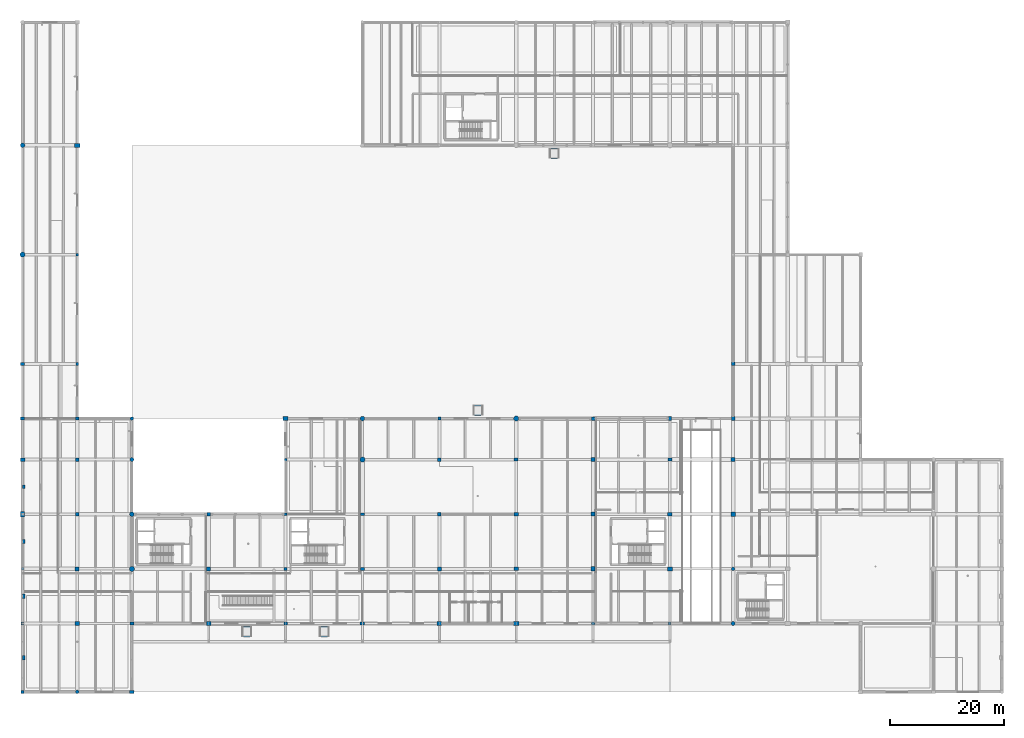
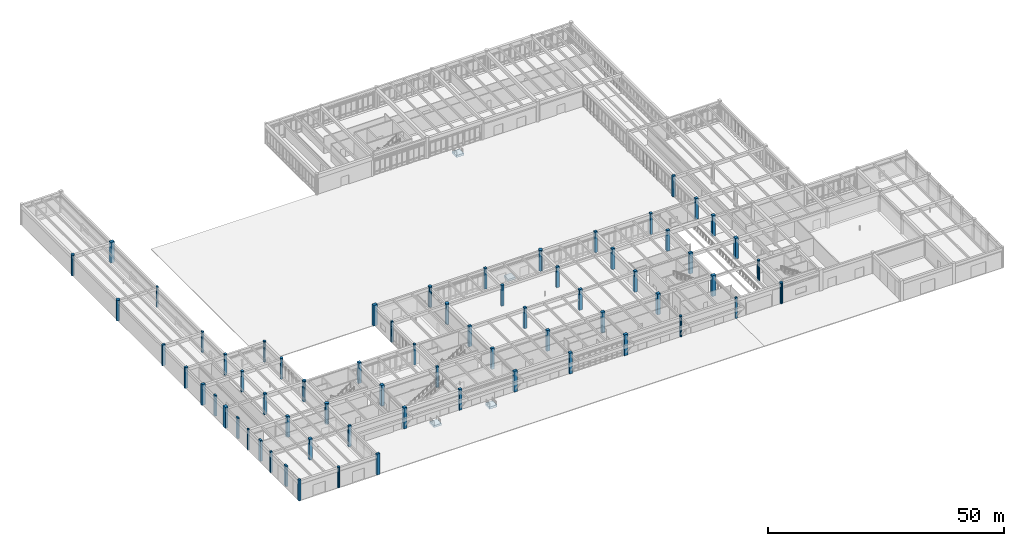
# One storey, part 1 of 138: 67 columns, 4 footings.
"""IFC4 building model written with IfcOpenShell, lengths in metres."""

from ifc_helpers import new_model, si_unit, direction, frame, origin, origin_2d, place, context, subcontext, project, spatial, rectangle, circle, extrude, material, material_profile, profile_set, type_object, element, save


model = new_model("IFC4")

# Units and contexts
model_context = context("Model", 3, precision=1e-05, world=origin(), true_north=direction((0.0, 1.0)))
body_context = subcontext(model_context, "Body", "Model", "MODEL_VIEW")
ifc_project = project(units=[si_unit("LENGTHUNIT", "METRE"), si_unit("AREAUNIT", "SQUARE_METRE"), si_unit("VOLUMEUNIT", "CUBIC_METRE"), si_unit("PLANEANGLEUNIT", "RADIAN"), si_unit("MASSUNIT", "GRAM", prefix="KILO")], contexts=[model_context])

# Site, building, storey
site_placement = place(None, origin())
site = spatial("IfcSite", under=ifc_project, at=site_placement, CompositionType="ELEMENT")
building_placement = place(site_placement, origin())
building = spatial("IfcBuilding", under=site, at=building_placement, Name="Fikremerkos Civic Library", CompositionType="ELEMENT")
storey_placement = place(building_placement, origin())
storey = spatial("IfcBuildingStorey", under=building, at=storey_placement, Name="L00", CompositionType="ELEMENT", Elevation=0.0)

# Footings
ifc_material_1 = material(Name="Concrete C35/45", Category="concrete")
footing_type = type_object("IfcFootingType", Name="Wall strip footing WSF-03 900x550", PredefinedType="STRIP_FOOTING", material=ifc_material_1)
for number, where, z_axis, x_axis, name in (
    (1, (39.39990234375, 10.550048828125, -0.64990234375), (0.0, 0.0, 1.0), (1.0, 0.0, 0.0), "Exterior plaza ramp strip footing #1"),
    (2, (53.0, 10.550048828125, -0.64990234375), (0.0, 0.0, 1.0), (1.0, 0.0, 0.0), "Exterior plaza ramp strip footing #2"),
    (3, (80.0, 49.449951171875, -0.64990234375), (0.0, 0.0, 1.0), (1.0, 0.0, 0.0), "Exterior plaza ramp strip footing #3"),
    (4, (93.39990234375, 94.550048828125, -0.64990234375), (0.0, 0.0, 1.0), (1.0, 0.0, 0.0), "Exterior plaza ramp strip footing #4"),
):
    element("IfcFooting", number, at=place(storey_placement, frame(where, z_axis=z_axis, x_axis=x_axis)), inside=storey, type_object=footing_type, Name=name, PredefinedType="STRIP_FOOTING", context=body_context, shape_type="SweptSolid", body=[
        extrude(rectangle(XDim=1.800048828125, YDim=1.800048828125, at=origin_2d()), origin(), (0.0, 0.0, 1.0), 0.550048828125),
    ])

# Columns
ifc_material_2 = material(Name="Concrete C40/50", Category="concrete")
ifc_material_profile_1 = material_profile(ifc_material_2, rectangle(XDim=0.75, YDim=0.75, at=origin_2d()), Name="RC 750x750")
ifc_profile_set_1 = profile_set([ifc_material_profile_1], Name="Concrete C40/50")
column_type_1 = type_object("IfcColumnType", Name="Structural column COL-06 RC 750x750", PredefinedType="COLUMN", material=ifc_profile_set_1)
for number, where, z_axis, x_axis, name in (
    (5, (9.60009765625, 12.0, 0.0), (0.0, 0.0, 1.0), (1.0, 0.0, 0.0), "Column COL-06 L00 2/E"),
    (6, (32.699951171875, 12.0, 0.0), (0.0, 0.0, 1.0), (1.0, 0.0, 0.0), "Column COL-06 L00 4/E"),
    (7, (73.199951171875, 12.0, 0.0), (0.0, 0.0, 1.0), (1.0, 0.0, 0.0), "Column COL-06 L00 7/E"),
    (8, (100.199951171875, 21.60009765625, 0.0), (0.0, 0.0, 1.0), (1.0, 0.0, 0.0), "Column COL-06 L00 9/F"),
    (9, (124.800048828125, 31.199951171875, 0.0), (0.0, 0.0, 1.0), (1.0, 0.0, 0.0), "Column COL-06 L00 11/G"),
):
    element("IfcColumn", number, at=place(storey_placement, frame(where, z_axis=z_axis, x_axis=x_axis)), inside=storey, type_object=column_type_1, Name=name, PredefinedType="COLUMN", context=body_context, shape_type="SweptSolid", body=[
        extrude(rectangle(XDim=0.75, YDim=0.75, at=origin_2d()), origin(), (0.0, 0.0, 1.0), 5.39990234375),
    ])
ifc_material_profile_2 = material_profile(ifc_material_2, rectangle(XDim=0.699951171875, YDim=0.699951171875, at=origin_2d()), Name="RC 700x700")
ifc_profile_set_2 = profile_set([ifc_material_profile_2], Name="Concrete C40/50")
column_type_2 = type_object("IfcColumnType", Name="Structural column COL-07 RC 700x700", PredefinedType="COLUMN", material=ifc_profile_set_2)
for number, where, z_axis, x_axis, name in (
    (10, (9.60009765625, 21.60009765625, 0.0), (0.0, 0.0, 1.0), (1.0, 0.0, 0.0), "Column COL-07 L00 2/F"),
    (11, (32.699951171875, 21.60009765625, 0.0), (0.0, 0.0, 1.0), (1.0, 0.0, 0.0), "Column COL-07 L00 4/F"),
    (12, (73.199951171875, 21.60009765625, 0.0), (0.0, 0.0, 1.0), (1.0, 0.0, 0.0), "Column COL-07 L00 7/F"),
    (13, (100.199951171875, 31.199951171875, 0.0), (0.0, 0.0, 1.0), (1.0, 0.0, 0.0), "Column COL-07 L00 9/G"),
    (14, (124.800048828125, 40.800048828125, 0.0), (0.0, 0.0, 1.0), (1.0, 0.0, 0.0), "Column COL-07 L00 11/H"),
):
    element("IfcColumn", number, at=place(storey_placement, frame(where, z_axis=z_axis, x_axis=x_axis)), inside=storey, type_object=column_type_2, Name=name, PredefinedType="COLUMN", context=body_context, shape_type="SweptSolid", body=[
        extrude(rectangle(XDim=0.699951171875, YDim=0.699951171875, at=origin_2d()), origin(), (0.0, 0.0, 1.0), 5.39990234375),
    ])
ifc_material_profile_3 = material_profile(ifc_material_2, rectangle(XDim=0.64990234375, YDim=0.64990234375, at=origin_2d()), Name="RC 650x650")
ifc_profile_set_3 = profile_set([ifc_material_profile_3], Name="Concrete C40/50")
column_type_3 = type_object("IfcColumnType", Name="Structural column COL-08 RC 650x650", PredefinedType="COLUMN", material=ifc_profile_set_3)
for number, where, z_axis, x_axis, name in (
    (15, (9.60009765625, 31.199951171875, 0.0), (0.0, 0.0, 1.0), (1.0, 0.0, 0.0), "Column COL-08 L00 2/G"),
    (16, (32.699951171875, 31.199951171875, 0.0), (0.0, 0.0, 1.0), (1.0, 0.0, 0.0), "Column COL-08 L00 4/G"),
    (17, (73.199951171875, 31.199951171875, 0.0), (0.0, 0.0, 1.0), (1.0, 0.0, 0.0), "Column COL-08 L00 7/G"),
    (18, (100.199951171875, 40.800048828125, 0.0), (0.0, 0.0, 1.0), (1.0, 0.0, 0.0), "Column COL-08 L00 9/H"),
    (19, (124.800048828125, 48.0, 0.0), (0.0, 0.0, 1.0), (1.0, 0.0, 0.0), "Column COL-08 L00 11/J"),
):
    element("IfcColumn", number, at=place(storey_placement, frame(where, z_axis=z_axis, x_axis=x_axis)), inside=storey, type_object=column_type_3, Name=name, PredefinedType="COLUMN", context=body_context, shape_type="SweptSolid", body=[
        extrude(rectangle(XDim=0.64990234375, YDim=0.64990234375, at=origin_2d()), origin(), (0.0, 0.0, 1.0), 5.39990234375),
    ])
ifc_material_profile_4 = material_profile(ifc_material_2, rectangle(XDim=0.60009765625, YDim=0.60009765625, at=origin_2d()), Name="RC 600x600")
ifc_profile_set_4 = profile_set([ifc_material_profile_4], Name="Concrete C40/50")
column_type_4 = type_object("IfcColumnType", Name="Structural column COL-09 RC 600x600", PredefinedType="COLUMN", material=ifc_profile_set_4)
for number, where, z_axis, x_axis, name in (
    (20, (9.60009765625, 40.800048828125, 0.0), (0.0, 0.0, 1.0), (1.0, 0.0, 0.0), "Column COL-09 L00 2/H"),
    (21, (46.199951171875, 12.0, 0.0), (0.0, 0.0, 1.0), (1.0, 0.0, 0.0), "Column COL-09 L00 5/E"),
    (22, (73.199951171875, 40.800048828125, 0.0), (0.0, 0.0, 1.0), (1.0, 0.0, 0.0), "Column COL-09 L00 7/H"),
    (23, (100.199951171875, 48.0, 0.0), (0.0, 0.0, 1.0), (1.0, 0.0, 0.0), "Column COL-09 L00 9/J"),
    (24, (124.800048828125, 57.60009765625, 0.0), (0.0, 0.0, 1.0), (1.0, 0.0, 0.0), "Column COL-09 L00 11/K"),
):
    element("IfcColumn", number, at=place(storey_placement, frame(where, z_axis=z_axis, x_axis=x_axis)), inside=storey, type_object=column_type_4, Name=name, PredefinedType="COLUMN", context=body_context, shape_type="SweptSolid", body=[
        extrude(rectangle(XDim=0.60009765625, YDim=0.60009765625, at=origin_2d()), origin(), (0.0, 0.0, 1.0), 5.39990234375),
    ])
ifc_material_profile_5 = material_profile(ifc_material_2, rectangle(XDim=0.550048828125, YDim=0.550048828125, at=origin_2d()), Name="RC 550x550")
ifc_profile_set_5 = profile_set([ifc_material_profile_5], Name="Concrete C40/50")
column_type_5 = type_object("IfcColumnType", Name="Structural column COL-10 RC 550x550", PredefinedType="COLUMN", material=ifc_profile_set_5)
for number, where, z_axis, x_axis, name in (
    (25, (0.0, 0.0, 0.0), (0.0, 0.0, 1.0), (1.0, 0.0, 0.0), "Column COL-10 L00 1/A"),
    (26, (9.60009765625, 48.0, 0.0), (0.0, 0.0, 1.0), (1.0, 0.0, 0.0), "Column COL-10 L00 2/J"),
    (27, (46.199951171875, 21.60009765625, 0.0), (0.0, 0.0, 1.0), (1.0, 0.0, 0.0), "Column COL-10 L00 5/F"),
    (28, (73.199951171875, 48.0, 0.0), (0.0, 0.0, 1.0), (1.0, 0.0, 0.0), "Column COL-10 L00 7/J"),
):
    element("IfcColumn", number, at=place(storey_placement, frame(where, z_axis=z_axis, x_axis=x_axis)), inside=storey, type_object=column_type_5, Name=name, PredefinedType="COLUMN", context=body_context, shape_type="SweptSolid", body=[
        extrude(rectangle(XDim=0.550048828125, YDim=0.550048828125, at=origin_2d()), origin(), (0.0, 0.0, 1.0), 5.39990234375),
    ])
ifc_material_profile_6 = material_profile(ifc_material_2, rectangle(XDim=0.5, YDim=0.5, at=origin_2d()), Name="RC 500x500")
ifc_profile_set_6 = profile_set([ifc_material_profile_6], Name="Concrete C40/50")
column_type_6 = type_object("IfcColumnType", Name="Structural column COL-11 RC 500x500", PredefinedType="COLUMN", material=ifc_profile_set_6)
for number, where, z_axis, x_axis, name in (
    (29, (0.0, 12.0, 0.0), (0.0, 0.0, 1.0), (1.0, 0.0, 0.0), "Column COL-11 L00 1/E"),
    (30, (9.60009765625, 57.60009765625, 0.0), (0.0, 0.0, 1.0), (1.0, 0.0, 0.0), "Column COL-11 L00 2/K"),
    (31, (46.199951171875, 31.199951171875, 0.0), (0.0, 0.0, 1.0), (1.0, 0.0, 0.0), "Column COL-11 L00 5/G"),
):
    element("IfcColumn", number, at=place(storey_placement, frame(where, z_axis=z_axis, x_axis=x_axis)), inside=storey, type_object=column_type_6, Name=name, PredefinedType="COLUMN", context=body_context, shape_type="SweptSolid", body=[
        extrude(rectangle(XDim=0.5, YDim=0.5, at=origin_2d()), origin(), (0.0, 0.0, 1.0), 5.39990234375),
    ])
ifc_material_profile_7 = material_profile(ifc_material_2, rectangle(XDim=0.449951171875, YDim=0.449951171875, at=origin_2d()), Name="RC 450x450")
ifc_profile_set_7 = profile_set([ifc_material_profile_7], Name="Concrete C40/50")
column_type_7 = type_object("IfcColumnType", Name="Structural column COL-12 RC 450x450", PredefinedType="COLUMN", material=ifc_profile_set_7)
for number, where, z_axis, x_axis, name in (
    (32, (0.0, 21.60009765625, 0.0), (0.0, 0.0, 1.0), (1.0, 0.0, 0.0), "Column COL-12 L00 1/F"),
    (33, (9.60009765625, 76.800048828125, 0.0), (0.0, 0.0, 1.0), (1.0, 0.0, 0.0), "Column COL-12 L00 2/L"),
    (34, (46.199951171875, 40.800048828125, 0.0), (0.0, 0.0, 1.0), (1.0, 0.0, 0.0), "Column COL-12 L00 5/H"),
    (35, (113.699951171875, 12.0, 0.0), (0.0, 0.0, 1.0), (1.0, 0.0, 0.0), "Column COL-12 L00 10/E"),
):
    element("IfcColumn", number, at=place(storey_placement, frame(where, z_axis=z_axis, x_axis=x_axis)), inside=storey, type_object=column_type_7, Name=name, PredefinedType="COLUMN", context=body_context, shape_type="SweptSolid", body=[
        extrude(rectangle(XDim=0.449951171875, YDim=0.449951171875, at=origin_2d()), origin(), (0.0, 0.0, 1.0), 5.39990234375),
    ])
ifc_material_profile_8 = material_profile(ifc_material_2, rectangle(XDim=0.89990234375, YDim=0.699951171875, at=origin_2d()), Name="RC 900x700")
ifc_profile_set_8 = profile_set([ifc_material_profile_8], Name="Concrete C40/50")
column_type_8 = type_object("IfcColumnType", Name="Structural column COL-13 RC 900x700", PredefinedType="COLUMN", material=ifc_profile_set_8)
for number, where, z_axis, x_axis, name in (
    (36, (0.0, 31.199951171875, 0.0), (0.0, 0.0, 1.0), (0.0, 1.0, 0.0), "Column COL-13 L00 1/G"),
    (37, (9.60009765625, 96.0, 0.0), (0.0, 0.0, 1.0), (1.0, 0.0, 0.0), "Column COL-13 L00 2/M"),
    (38, (46.199951171875, 48.0, 0.0), (0.0, 0.0, 1.0), (1.0, 0.0, 0.0), "Column COL-13 L00 5/J"),
    (39, (86.699951171875, 12.0, 0.0), (0.0, 0.0, 1.0), (1.0, 0.0, 0.0), "Column COL-13 L00 8/E"),
    (40, (113.699951171875, 21.60009765625, 0.0), (0.0, 0.0, 1.0), (1.0, 0.0, 0.0), "Column COL-13 L00 10/F"),
):
    element("IfcColumn", number, at=place(storey_placement, frame(where, z_axis=z_axis, x_axis=x_axis)), inside=storey, type_object=column_type_8, Name=name, PredefinedType="COLUMN", context=body_context, shape_type="SweptSolid", body=[
        extrude(rectangle(XDim=0.89990234375, YDim=0.699951171875, at=origin_2d()), origin(), (0.0, 0.0, 1.0), 5.39990234375),
    ])
ifc_material_profile_9 = material_profile(ifc_material_2, rectangle(XDim=0.800048828125, YDim=0.60009765625, at=origin_2d()), Name="RC 800x600")
ifc_profile_set_9 = profile_set([ifc_material_profile_9], Name="Concrete C40/50")
column_type_9 = type_object("IfcColumnType", Name="Structural column COL-14 RC 800x600", PredefinedType="COLUMN", material=ifc_profile_set_9)
for number, where, z_axis, x_axis, name in (
    (41, (0.0, 40.800048828125, 0.0), (0.0, 0.0, 1.0), (1.0, 0.0, 0.0), "Column COL-14 L00 1/H"),
    (42, (59.699951171875, 12.0, 0.0), (0.0, 0.0, 1.0), (1.0, 0.0, 0.0), "Column COL-14 L00 6/E"),
    (43, (86.699951171875, 21.60009765625, 0.0), (0.0, 0.0, 1.0), (1.0, 0.0, 0.0), "Column COL-14 L00 8/F"),
    (44, (113.699951171875, 31.199951171875, 0.0), (0.0, 0.0, 1.0), (1.0, 0.0, 0.0), "Column COL-14 L00 10/G"),
):
    element("IfcColumn", number, at=place(storey_placement, frame(where, z_axis=z_axis, x_axis=x_axis)), inside=storey, type_object=column_type_9, Name=name, PredefinedType="COLUMN", context=body_context, shape_type="SweptSolid", body=[
        extrude(rectangle(XDim=0.800048828125, YDim=0.60009765625, at=origin_2d()), origin(), (0.0, 0.0, 1.0), 5.39990234375),
    ])
ifc_material_profile_10 = material_profile(ifc_material_2, rectangle(XDim=0.75, YDim=0.550048828125, at=origin_2d()), Name="RC 750x550")
ifc_profile_set_10 = profile_set([ifc_material_profile_10], Name="Concrete C40/50")
column_type_10 = type_object("IfcColumnType", Name="Structural column COL-15 RC 750x550", PredefinedType="COLUMN", material=ifc_profile_set_10)
for number, where, z_axis, x_axis, name in (
    (45, (0.0, 48.0, 0.0), (0.0, 0.0, 1.0), (1.0, 0.0, 0.0), "Column COL-15 L00 1/J"),
    (46, (19.199951171875, 0.0, 0.0), (0.0, 0.0, 1.0), (1.0, 0.0, 0.0), "Column COL-15 L00 3/A"),
    (47, (59.699951171875, 21.60009765625, 0.0), (0.0, 0.0, 1.0), (1.0, 0.0, 0.0), "Column COL-15 L00 6/F"),
    (48, (86.699951171875, 31.199951171875, 0.0), (0.0, 0.0, 1.0), (1.0, 0.0, 0.0), "Column COL-15 L00 8/G"),
    (49, (113.699951171875, 40.800048828125, 0.0), (0.0, 0.0, 1.0), (1.0, 0.0, 0.0), "Column COL-15 L00 10/H"),
):
    element("IfcColumn", number, at=place(storey_placement, frame(where, z_axis=z_axis, x_axis=x_axis)), inside=storey, type_object=column_type_10, Name=name, PredefinedType="COLUMN", context=body_context, shape_type="SweptSolid", body=[
        extrude(rectangle(XDim=0.75, YDim=0.550048828125, at=origin_2d()), origin(), (0.0, 0.0, 1.0), 5.39990234375),
    ])
ifc_material_profile_11 = material_profile(ifc_material_2, rectangle(XDim=0.699951171875, YDim=0.5, at=origin_2d()), Name="RC 700x500")
ifc_profile_set_11 = profile_set([ifc_material_profile_11], Name="Concrete C40/50")
column_type_11 = type_object("IfcColumnType", Name="Structural column COL-16 RC 700x500", PredefinedType="COLUMN", material=ifc_profile_set_11)
for number, where, z_axis, x_axis, name in (
    (50, (0.0, 57.60009765625, 0.0), (0.0, 0.0, 1.0), (1.0, 0.0, 0.0), "Column COL-16 L00 1/K"),
    (51, (19.199951171875, 12.0, 0.0), (0.0, 0.0, 1.0), (1.0, 0.0, 0.0), "Column COL-16 L00 3/E"),
    (52, (59.699951171875, 31.199951171875, 0.0), (0.0, 0.0, 1.0), (1.0, 0.0, 0.0), "Column COL-16 L00 6/G"),
    (53, (86.699951171875, 40.800048828125, 0.0), (0.0, 0.0, 1.0), (1.0, 0.0, 0.0), "Column COL-16 L00 8/H"),
    (54, (113.699951171875, 48.0, 0.0), (0.0, 0.0, 1.0), (0.0, 1.0, 0.0), "Column COL-16 L00 10/J"),
):
    element("IfcColumn", number, at=place(storey_placement, frame(where, z_axis=z_axis, x_axis=x_axis)), inside=storey, type_object=column_type_11, Name=name, PredefinedType="COLUMN", context=body_context, shape_type="SweptSolid", body=[
        extrude(rectangle(XDim=0.699951171875, YDim=0.5, at=origin_2d()), origin(), (0.0, 0.0, 1.0), 5.39990234375),
    ])
ifc_material_3 = material(Name="Concrete C45/55", Category="concrete")
ifc_material_profile_12 = material_profile(ifc_material_3, circle(Radius=0.449951171875, at=origin_2d()), Name="RC D900")
ifc_profile_set_12 = profile_set([ifc_material_profile_12], Name="Concrete C45/55")
column_type_12 = type_object("IfcColumnType", Name="Structural column COL-17 RC D900", PredefinedType="COLUMN", material=ifc_profile_set_12)
for number, where, z_axis, x_axis, name in (
    (55, (0.0, 76.800048828125, 0.0), (0.0, 0.0, 1.0), (1.0, 0.0, 0.0), "Column COL-17 L00 1/L"),
    (56, (19.199951171875, 21.60009765625, 0.0), (0.0, 0.0, 1.0), (1.0, 0.0, 0.0), "Column COL-17 L00 3/F"),
    (57, (59.699951171875, 40.800048828125, 0.0), (0.0, 0.0, 1.0), (1.0, 0.0, 0.0), "Column COL-17 L00 6/H"),
    (58, (86.699951171875, 48.0, 0.0), (0.0, 0.0, 1.0), (1.0, 0.0, 0.0), "Column COL-17 L00 8/J"),
):
    element("IfcColumn", number, at=place(storey_placement, frame(where, z_axis=z_axis, x_axis=x_axis)), inside=storey, type_object=column_type_12, Name=name, PredefinedType="COLUMN", context=body_context, shape_type="SweptSolid", body=[
        extrude(circle(Radius=0.449951171875, at=origin_2d()), origin(), (0.0, 0.0, 1.0), 5.39990234375),
    ])
ifc_material_profile_13 = material_profile(ifc_material_2, circle(Radius=0.39990234375, at=origin_2d()), Name="RC D800")
ifc_profile_set_13 = profile_set([ifc_material_profile_13], Name="Concrete C40/50")
column_type_13 = type_object("IfcColumnType", Name="Structural column COL-18 RC D800", PredefinedType="COLUMN", material=ifc_profile_set_13)
for number, where, z_axis, x_axis, name in (
    (59, (0.0, 96.0, 0.0), (0.0, 0.0, 1.0), (1.0, 0.0, 0.0), "Column COL-18 L00 1/M"),
    (60, (19.199951171875, 31.199951171875, 0.0), (0.0, 0.0, 1.0), (1.0, 0.0, 0.0), "Column COL-18 L00 3/G"),
    (61, (59.699951171875, 48.0, 0.0), (0.0, 0.0, 1.0), (1.0, 0.0, 0.0), "Column COL-18 L00 6/J"),
):
    element("IfcColumn", number, at=place(storey_placement, frame(where, z_axis=z_axis, x_axis=x_axis)), inside=storey, type_object=column_type_13, Name=name, PredefinedType="COLUMN", context=body_context, shape_type="SweptSolid", body=[
        extrude(circle(Radius=0.39990234375, at=origin_2d()), origin(), (0.0, 0.0, 1.0), 5.39990234375),
    ])
ifc_material_profile_14 = material_profile(ifc_material_2, circle(Radius=0.35009765625, at=origin_2d()), Name="RC D700")
ifc_profile_set_14 = profile_set([ifc_material_profile_14], Name="Concrete C40/50")
column_type_14 = type_object("IfcColumnType", Name="Structural column COL-19 RC D700", PredefinedType="COLUMN", material=ifc_profile_set_14)
for number, where, z_axis, x_axis, name in (
    (62, (19.199951171875, 40.800048828125, 0.0), (0.0, 0.0, 1.0), (1.0, 0.0, 0.0), "Column COL-19 L00 3/H"),
    (63, (124.800048828125, 12.0, 0.0), (0.0, 0.0, 1.0), (1.0, 0.0, 0.0), "Column COL-19 L00 11/E"),
):
    element("IfcColumn", number, at=place(storey_placement, frame(where, z_axis=z_axis, x_axis=x_axis)), inside=storey, type_object=column_type_14, Name=name, PredefinedType="COLUMN", context=body_context, shape_type="SweptSolid", body=[
        extrude(circle(Radius=0.35009765625, at=origin_2d()), origin(), (0.0, 0.0, 1.0), 5.39990234375),
    ])
ifc_material_profile_15 = material_profile(ifc_material_2, circle(Radius=0.300048828125, at=origin_2d()), Name="RC D600")
ifc_profile_set_15 = profile_set([ifc_material_profile_15], Name="Concrete C40/50")
column_type_15 = type_object("IfcColumnType", Name="Structural column COL-20 RC D600", PredefinedType="COLUMN", material=ifc_profile_set_15)
for number, where, z_axis, x_axis, name in (
    (64, (9.60009765625, 0.0, 0.0), (0.0, 0.0, 1.0), (1.0, 0.0, 0.0), "Column COL-20 L00 2/A"),
    (65, (19.199951171875, 48.0, 0.0), (0.0, 0.0, 1.0), (1.0, 0.0, 0.0), "Column COL-20 L00 3/J"),
    (66, (100.199951171875, 12.0, 0.0), (0.0, 0.0, 1.0), (1.0, 0.0, 0.0), "Column COL-20 L00 9/E"),
    (67, (124.800048828125, 21.60009765625, 0.0), (0.0, 0.0, 1.0), (1.0, 0.0, 0.0), "Column COL-20 L00 11/F"),
):
    element("IfcColumn", number, at=place(storey_placement, frame(where, z_axis=z_axis, x_axis=x_axis)), inside=storey, type_object=column_type_15, Name=name, PredefinedType="COLUMN", context=body_context, shape_type="SweptSolid", body=[
        extrude(circle(Radius=0.300048828125, at=origin_2d()), origin(), (0.0, 0.0, 1.0), 5.39990234375),
    ])
ifc_material_profile_16 = material_profile(ifc_material_2, rectangle(XDim=0.449951171875, YDim=0.800048828125, at=origin_2d()), Name="RC 450x800")
ifc_profile_set_16 = profile_set([ifc_material_profile_16], Name="Concrete C40/50")
column_type_16 = type_object("IfcColumnType", Name="Wall pilaster PIL-01 RC 450x800", PredefinedType="PILASTER", material=ifc_profile_set_16)
for number, where, z_axis, x_axis, name in (
    (68, (0.219970703125, 6.0, 0.0), (0.0, 0.0, 1.0), (1.0, 0.0, 0.0), "Wall pilaster PIL-01 L00 W1"),
    (69, (0.219970703125, 16.800048828125, 0.0), (0.0, 0.0, 1.0), (1.0, 0.0, 0.0), "Wall pilaster PIL-01 L00 W2"),
):
    element("IfcColumn", number, at=place(storey_placement, frame(where, z_axis=z_axis, x_axis=x_axis)), inside=storey, type_object=column_type_16, Name=name, PredefinedType="PILASTER", context=body_context, shape_type="SweptSolid", body=[
        extrude(rectangle(XDim=0.449951171875, YDim=0.800048828125, at=origin_2d()), origin(), (0.0, 0.0, 1.0), 5.39990234375),
    ])
ifc_material_profile_17 = material_profile(ifc_material_2, rectangle(XDim=0.39990234375, YDim=0.75, at=origin_2d()), Name="RC 400x750")
ifc_profile_set_17 = profile_set([ifc_material_profile_17], Name="Concrete C40/50")
column_type_17 = type_object("IfcColumnType", Name="Wall pilaster PIL-02 RC 400x750", PredefinedType="PILASTER", material=ifc_profile_set_17)
column_1_placement = place(storey_placement, frame((0.219970703125, 26.39990234375, 0.0), z_axis=(0.0, 0.0, 1.0), x_axis=(1.0, 0.0, 0.0)))
element("IfcColumn", 70, at=column_1_placement, inside=storey, type_object=column_type_17, Name="Wall pilaster PIL-02 L00 W3", PredefinedType="PILASTER", context=body_context, shape_type="SweptSolid", body=[
    extrude(rectangle(XDim=0.39990234375, YDim=0.75, at=origin_2d()), origin(), (0.0, 0.0, 1.0), 5.39990234375),
])
ifc_material_profile_18 = material_profile(ifc_material_2, rectangle(XDim=0.39990234375, YDim=0.64990234375, at=origin_2d()), Name="RC 400x650")
ifc_profile_set_18 = profile_set([ifc_material_profile_18], Name="Concrete C40/50")
column_type_18 = type_object("IfcColumnType", Name="Wall pilaster PIL-03 RC 400x650", PredefinedType="PILASTER", material=ifc_profile_set_18)
column_2_placement = place(storey_placement, frame((0.219970703125, 36.0, 0.0), z_axis=(0.0, 0.0, 1.0), x_axis=(1.0, 0.0, 0.0)))
element("IfcColumn", 71, at=column_2_placement, inside=storey, type_object=column_type_18, Name="Wall pilaster PIL-03 L00 W4", PredefinedType="PILASTER", context=body_context, shape_type="SweptSolid", body=[
    extrude(rectangle(XDim=0.39990234375, YDim=0.64990234375, at=origin_2d()), origin(), (0.0, 0.0, 1.0), 5.39990234375),
])

save(model, "model.ifc")
